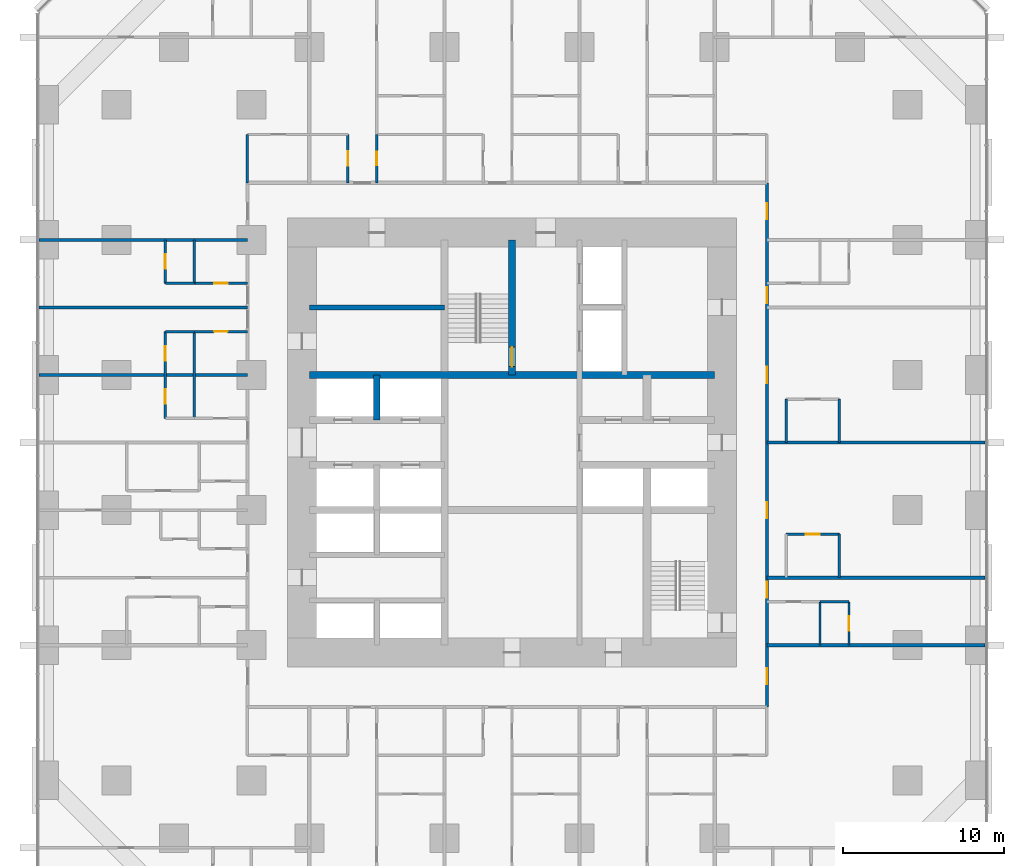
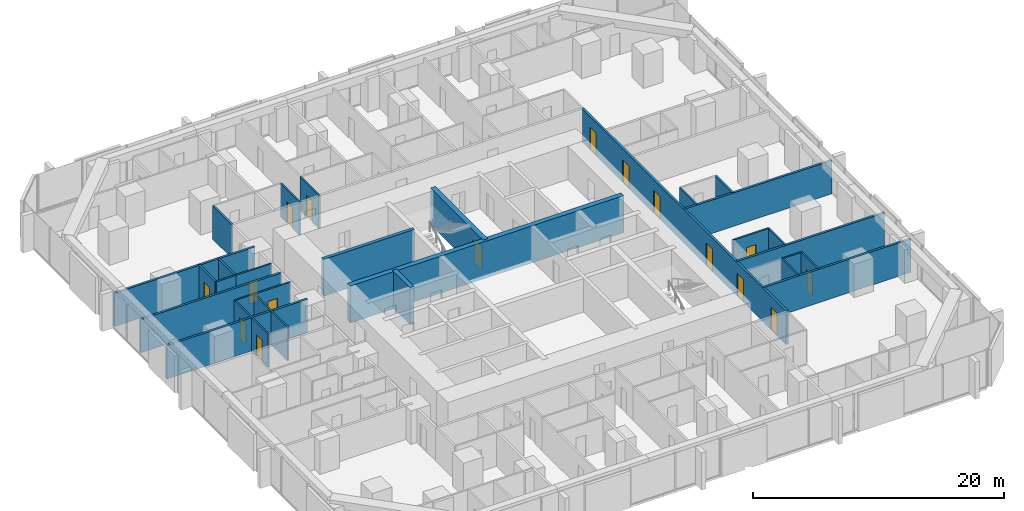
# One storey, part 14 of 17: 29 walls, 16 doors, 16 openings.
"""IFC4 building model written with IfcOpenShell, lengths in metres."""

from ifc_helpers import new_model, si_unit, direction, frame, frame_2d, origin, place, context, subcontext, project, spatial, rectangle, extrude, material, layer, layer_set, type_object, element, fill, save


model = new_model("IFC4")

# Units and contexts
model_context = context("Model", 3, precision=1e-05, world=origin(), true_north=direction((0.0, 1.0)))
body_context = subcontext(model_context, "Body", "Model", "MODEL_VIEW")
ifc_project = project(units=[si_unit("LENGTHUNIT", "METRE"), si_unit("AREAUNIT", "SQUARE_METRE"), si_unit("VOLUMEUNIT", "CUBIC_METRE"), si_unit("PLANEANGLEUNIT", "RADIAN"), si_unit("MASSUNIT", "GRAM", prefix="KILO")], contexts=[model_context])

# Site, building, storey
site_placement = place(None, origin())
site = spatial("IfcSite", under=ifc_project, at=site_placement, CompositionType="ELEMENT")
building_placement = place(site_placement, origin())
building = spatial("IfcBuilding", under=site, at=building_placement, Name="Dunama Terrace Hotel", CompositionType="ELEMENT")
storey_placement = place(building_placement, frame((0.0, 0.0, 45.0)))
storey = spatial("IfcBuildingStorey", under=building, at=storey_placement, Name="L10", CompositionType="ELEMENT", Elevation=45.0)

# Wall
ifc_material_1 = material(Name="Gypsum board partition", Category="masonry")
ifc_layer_1 = layer(ifc_material_1, 0.14990234375)
ifc_layer_set_1 = layer_set([ifc_layer_1], Name="Bathroom partition 150")
wall_type_1 = type_object("IfcWallType", Name="Bathroom partition 150", PredefinedType="PARTITIONING", material=ifc_layer_set_1)
wall_1_placement = place(storey_placement, frame((12.949951171875, 45.550048828125, 0.0), z_axis=(0.0, 0.0, 1.0), x_axis=(0.0, 1.0, 0.0)))
element("IfcWall", 1, at=wall_1_placement, inside=storey, type_object=wall_type_1, Name="Bathroom partition 150 L10", PredefinedType="PARTITIONING", context=body_context, shape_type="SweptSolid", body=[
    extrude(rectangle(XDim=3.0, YDim=0.14990234375, at=frame_2d((1.5, 0.0))), origin(), (0.0, 0.0, 1.0), 3.25),
])

# Wall, opening, door
wall_2_placement = place(storey_placement, frame((21.0, 45.550048828125, 0.0), z_axis=(0.0, 0.0, 1.0), x_axis=(0.0, 1.0, 0.0)))
wall_2 = element("IfcWall", 2, at=wall_2_placement, inside=storey, type_object=wall_type_1, Name="Bathroom partition 150 L10", PredefinedType="PARTITIONING", context=body_context, shape_type="SweptSolid", body=[
    extrude(rectangle(XDim=3.0, YDim=0.14990234375, at=frame_2d((1.5, 0.0))), origin(), (0.0, 0.0, 1.0), 3.25),
])
opening_1_placement = place(wall_2_placement, frame((1.074951171875, 0.0, 0.0)))
opening_1 = element("IfcOpeningElement", 3, at=opening_1_placement, cuts=wall_2, Name="Opening L10-11-036", PredefinedType="OPENING", context=body_context, shape_type="SweptSolid", body=[
    extrude(rectangle(XDim=0.85009765625, YDim=2.10009765625, at=frame_2d((0.425048828125, 1.050048828125))), frame((0.0, 0.0849609375, 0.0), z_axis=(0.0, -1.0, 0.0), x_axis=(1.0, 0.0, 0.0)), (0.0, 0.0, 1.0), 0.169921875),
])
ifc_material_2 = material(Name="Timber door with steel frame", Category="steel")
door_type_1 = type_object("IfcDoorType", Name="Bathroom door 850", OperationType="SINGLE_SWING_LEFT", PredefinedType="DOOR", material=ifc_material_2)
door_1_placement = place(opening_1_placement, frame((0.85009765625, 0.0, 0.0), z_axis=(0.0, 0.0, 1.0), x_axis=(-1.0, 0.0, 0.0)))
door_1 = element("IfcDoor", 4, at=door_1_placement, inside=storey, type_object=door_type_1, Name="Door to residence bathroom L10-11-036, type D2", OperationType="SINGLE_SWING_RIGHT", OverallHeight=2.10009765625, OverallWidth=0.85009765625, PredefinedType="DOOR", context=body_context, shape_type="SweptSolid", body=[
    extrude(rectangle(XDim=0.85009765625, YDim=2.10009765625, at=frame_2d((0.425048828125, 1.050048828125))), frame((0.0, 0.025146484375, 0.0), z_axis=(0.0, -1.0, 0.0), x_axis=(1.0, 0.0, 0.0)), (0.0, 0.0, 1.0), 0.050048828125),
])
fill(opening_1, door_1)

# Walls
wall_3_placement = place(storey_placement, frame((46.449951171875, 29.39990234375, 0.0), z_axis=(0.0, 0.0, 1.0), x_axis=(0.0, 1.0, 0.0)))
element("IfcWall", 5, at=wall_3_placement, inside=storey, type_object=wall_type_1, Name="Bathroom partition 150 L10", PredefinedType="PARTITIONING", context=body_context, shape_type="SweptSolid", body=[
    extrude(rectangle(XDim=2.7001953125, YDim=0.14990234375, at=frame_2d((1.35009765625, 0.0))), origin(), (0.0, 0.0, 1.0), 3.25),
])
wall_4_placement = place(storey_placement, frame((49.75, 21.0, 0.0), z_axis=(0.0, 0.0, 1.0), x_axis=(0.0, 1.0, 0.0)))
element("IfcWall", 6, at=wall_4_placement, inside=storey, type_object=wall_type_1, Name="Bathroom partition 150 L10", PredefinedType="PARTITIONING", context=body_context, shape_type="SweptSolid", body=[
    extrude(rectangle(XDim=2.699951171875, YDim=0.14990234375, at=frame_2d((1.35009765625, 0.0))), origin(), (0.0, 0.0, 1.0), 3.25),
])
wall_5_placement = place(storey_placement, frame((49.75, 29.39990234375, 0.0), z_axis=(0.0, 0.0, 1.0), x_axis=(0.0, 1.0, 0.0)))
element("IfcWall", 7, at=wall_5_placement, inside=storey, type_object=wall_type_1, Name="Bathroom partition 150 L10", PredefinedType="PARTITIONING", context=body_context, shape_type="SweptSolid", body=[
    extrude(rectangle(XDim=2.7001953125, YDim=0.14990234375, at=frame_2d((1.35009765625, 0.0))), origin(), (0.0, 0.0, 1.0), 3.25),
])

# Wall, opening, door
wall_6_placement = place(storey_placement, frame((46.449951171875, 23.699951171875, 0.0), z_axis=(0.0, 0.0, 1.0), x_axis=(1.0, 0.0, 0.0)))
wall_6 = element("IfcWall", 8, at=wall_6_placement, inside=storey, type_object=wall_type_1, Name="Bathroom partition 150 L10", PredefinedType="PARTITIONING", context=body_context, shape_type="SweptSolid", body=[
    extrude(rectangle(XDim=3.300048828125, YDim=0.14990234375, at=frame_2d((1.64990234375, 0.0))), origin(), (0.0, 0.0, 1.0), 3.25),
])
opening_2_placement = place(wall_6_placement, frame((1.22509765625, 0.0, 0.0)))
opening_2 = element("IfcOpeningElement", 9, at=opening_2_placement, cuts=wall_6, Name="Opening L10-11-028", PredefinedType="OPENING", context=body_context, shape_type="SweptSolid", body=[
    extrude(rectangle(XDim=0.85009765625, YDim=2.10009765625, at=frame_2d((0.425048828125, 1.050048828125))), frame((0.0, 0.0849609375, 0.0), z_axis=(0.0, -1.0, 0.0), x_axis=(1.0, 0.0, 0.0)), (0.0, 0.0, 1.0), 0.169921875),
])
door_2_placement = place(opening_2_placement, frame((0.85009765625, 0.0, 0.0), z_axis=(0.0, 0.0, 1.0), x_axis=(-1.0, 0.0, 0.0)))
door_2 = element("IfcDoor", 10, at=door_2_placement, inside=storey, type_object=door_type_1, Name="Door to en-suite bathroom L10-11-028, type D2", OperationType="SINGLE_SWING_LEFT", OverallHeight=2.10009765625, OverallWidth=0.85009765625, PredefinedType="DOOR", context=body_context, shape_type="SweptSolid", body=[
    extrude(rectangle(XDim=0.85009765625, YDim=2.10009765625, at=frame_2d((0.425048828125, 1.050048828125))), frame((0.0, 0.025146484375, 0.0), z_axis=(0.0, -1.0, 0.0), x_axis=(1.0, 0.0, 0.0)), (0.0, 0.0, 1.0), 0.050048828125),
])
fill(opening_2, door_2)

wall_7_placement = place(storey_placement, frame((9.64990234375, 36.300048828125, 0.0), z_axis=(0.0, 0.0, 1.0), x_axis=(1.0, 0.0, 0.0)))
wall_7 = element("IfcWall", 11, at=wall_7_placement, inside=storey, type_object=wall_type_1, Name="Bathroom partition 150 L10", PredefinedType="PARTITIONING", context=body_context, shape_type="SweptSolid", body=[
    extrude(rectangle(XDim=3.300048828125, YDim=0.14990234375, at=frame_2d((1.64990234375, 0.0))), origin(), (0.0, 0.0, 1.0), 3.25),
])
opening_3_placement = place(wall_7_placement, frame((1.22509765625, 0.0, 0.0)))
opening_3 = element("IfcOpeningElement", 12, at=opening_3_placement, cuts=wall_7, Name="Opening L10-11-062", PredefinedType="OPENING", context=body_context, shape_type="SweptSolid", body=[
    extrude(rectangle(XDim=0.85009765625, YDim=2.10009765625, at=frame_2d((0.425048828125, 1.050048828125))), frame((0.0, 0.0849609375, 0.0), z_axis=(0.0, -1.0, 0.0), x_axis=(1.0, 0.0, 0.0)), (0.0, 0.0, 1.0), 0.169921875),
])
door_3_placement = place(opening_3_placement, frame((0.85009765625, 0.0, 0.0), z_axis=(0.0, 0.0, 1.0), x_axis=(-1.0, 0.0, 0.0)))
door_3 = element("IfcDoor", 13, at=door_3_placement, inside=storey, type_object=door_type_1, Name="Door to en-suite bathroom L10-11-062, type D2", OperationType="SINGLE_SWING_LEFT", OverallHeight=2.10009765625, OverallWidth=0.85009765625, PredefinedType="DOOR", context=body_context, shape_type="SweptSolid", body=[
    extrude(rectangle(XDim=0.85009765625, YDim=2.10009765625, at=frame_2d((0.425048828125, 1.050048828125))), frame((0.0, 0.025146484375, 0.0), z_axis=(0.0, -1.0, 0.0), x_axis=(1.0, 0.0, 0.0)), (0.0, 0.0, 1.0), 0.050048828125),
])
fill(opening_3, door_3)

wall_8_placement = place(storey_placement, frame((9.64990234375, 39.300048828125, 0.0), z_axis=(0.0, 0.0, 1.0), x_axis=(1.0, 0.0, 0.0)))
wall_8 = element("IfcWall", 14, at=wall_8_placement, inside=storey, type_object=wall_type_1, Name="Bathroom partition 150 L10", PredefinedType="PARTITIONING", context=body_context, shape_type="SweptSolid", body=[
    extrude(rectangle(XDim=3.300048828125, YDim=0.14990234375, at=frame_2d((1.64990234375, 0.0))), origin(), (0.0, 0.0, 1.0), 3.25),
])
opening_4_placement = place(wall_8_placement, frame((1.22509765625, 0.0, 0.0)))
opening_4 = element("IfcOpeningElement", 15, at=opening_4_placement, cuts=wall_8, Name="Opening L10-11-065", PredefinedType="OPENING", context=body_context, shape_type="SweptSolid", body=[
    extrude(rectangle(XDim=0.85009765625, YDim=2.10009765625, at=frame_2d((0.425048828125, 1.050048828125))), frame((0.0, 0.0849609375, 0.0), z_axis=(0.0, -1.0, 0.0), x_axis=(1.0, 0.0, 0.0)), (0.0, 0.0, 1.0), 0.169921875),
])
door_4_placement = place(opening_4_placement, origin())
door_4 = element("IfcDoor", 16, at=door_4_placement, inside=storey, type_object=door_type_1, Name="Door to en-suite bathroom L10-11-065, type D2", OperationType="SINGLE_SWING_RIGHT", OverallHeight=2.10009765625, OverallWidth=0.85009765625, PredefinedType="DOOR", context=body_context, shape_type="SweptSolid", body=[
    extrude(rectangle(XDim=0.85009765625, YDim=2.10009765625, at=frame_2d((0.425048828125, 1.050048828125))), frame((0.0, 0.02490234375, 0.0), z_axis=(0.0, -1.0, 0.0), x_axis=(1.0, 0.0, 0.0)), (0.0, 0.0, 1.0), 0.050048828125),
])
fill(opening_4, door_4)

# Walls
ifc_material_3 = material(Name="Concrete C50/60", Category="concrete")
ifc_layer_2 = layer(ifc_material_3, 0.300048828125)
ifc_layer_set_2 = layer_set([ifc_layer_2], Name="Core inner wall 300")
wall_type_2 = type_object("IfcWallType", Name="Core inner wall 300", PredefinedType="SHEAR", material=ifc_layer_set_2)
wall_9_placement = place(storey_placement, frame((16.800048828125, 37.800048828125, -0.35009765625), z_axis=(0.0, 0.0, 1.0), x_axis=(1.0, 0.0, 0.0)))
element("IfcWall", 17, at=wall_9_placement, inside=storey, type_object=wall_type_2, Name="Core inner wall 300 L10", PredefinedType="SHEAR", context=body_context, shape_type="SweptSolid", body=[
    extrude(rectangle(XDim=8.39990234375, YDim=0.300048828125, at=frame_2d((4.199951171875, 0.0))), origin(), (0.0, 0.0, 1.0), 3.60009765625),
])
ifc_material_4 = material(Name="Concrete C50/60", Category="concrete")
ifc_layer_3 = layer(ifc_material_4, 0.39990234375)
ifc_layer_set_3 = layer_set([ifc_layer_3], Name="Core inner wall 400")
wall_type_3 = type_object("IfcWallType", Name="Core inner wall 400", PredefinedType="SHEAR", material=ifc_layer_set_3)
wall_10_placement = place(storey_placement, frame((21.0, 30.800048828125, -0.35009765625), z_axis=(0.0, 0.0, 1.0), x_axis=(0.0, 1.0, 0.0)))
element("IfcWall", 18, at=wall_10_placement, inside=storey, type_object=wall_type_3, Name="Core inner wall 400 L10", PredefinedType="SHEAR", context=body_context, shape_type="SweptSolid", body=[
    extrude(rectangle(XDim=2.800048828125, YDim=0.39990234375, at=frame_2d((1.39990234375, 0.0))), origin(), (0.0, 0.0, 1.0), 3.60009765625),
])

# Wall, opening, door
ifc_material_5 = material(Name="Concrete C50/60", Category="concrete")
ifc_layer_4 = layer(ifc_material_5, 0.449951171875)
ifc_layer_set_4 = layer_set([ifc_layer_4], Name="Core inner wall 450")
wall_type_4 = type_object("IfcWallType", Name="Core inner wall 450", PredefinedType="SHEAR", material=ifc_layer_set_4)
wall_11_placement = place(storey_placement, frame((29.39990234375, 33.60009765625, -0.35009765625), z_axis=(0.0, 0.0, 1.0), x_axis=(0.0, 1.0, 0.0)))
wall_11 = element("IfcWall", 19, at=wall_11_placement, inside=storey, type_object=wall_type_4, Name="Core inner wall 450 L10", PredefinedType="SHEAR", context=body_context, shape_type="SweptSolid", body=[
    extrude(rectangle(XDim=8.39990234375, YDim=0.449951171875, at=frame_2d((4.199951171875, 0.0))), origin(), (0.0, 0.0, 1.0), 3.60009765625),
])
opening_5_placement = place(wall_11_placement, frame((0.52490234375, 0.0, 0.35009765625)))
opening_5 = element("IfcOpeningElement", 20, at=opening_5_placement, cuts=wall_11, Name="Opening L10-11-001", PredefinedType="OPENING", context=body_context, shape_type="SweptSolid", body=[
    extrude(rectangle(XDim=1.199951171875, YDim=2.199951171875, at=frame_2d((0.60009765625, 1.10009765625))), frame((0.0, 0.23486328125, 0.0), z_axis=(0.0, -1.0, 0.0), x_axis=(1.0, 0.0, 0.0)), (0.0, 0.0, 1.0), 0.469970703125),
])
ifc_material_6 = material(Name="Timber door with steel frame", Category="steel")
door_type_2 = type_object("IfcDoorType", Name="Stair door 1200", OperationType="SINGLE_SWING_LEFT", PredefinedType="DOOR", material=ifc_material_6)
door_5_placement = place(opening_5_placement, origin())
door_5 = element("IfcDoor", 21, at=door_5_placement, inside=storey, type_object=door_type_2, Name="Stair door ST1 L10-11-001, type D5", OperationType="SINGLE_SWING_LEFT", OverallHeight=2.199951171875, OverallWidth=1.199951171875, PredefinedType="DOOR", context=body_context, shape_type="SweptSolid", body=[
    extrude(rectangle(XDim=1.199951171875, YDim=2.199951171875, at=frame_2d((0.60009765625, 1.10009765625))), frame((0.0, 0.02490234375, 0.0), z_axis=(0.0, -1.0, 0.0), x_axis=(1.0, 0.0, 0.0)), (0.0, 0.0, 1.0), 0.050048828125),
])
fill(opening_5, door_5)

# Wall
wall_12_placement = place(storey_placement, frame((16.800048828125, 33.60009765625, -0.35009765625), z_axis=(0.0, 0.0, 1.0), x_axis=(1.0, 0.0, 0.0)))
element("IfcWall", 22, at=wall_12_placement, inside=storey, type_object=wall_type_4, Name="Core inner wall 450 L10", PredefinedType="SHEAR", context=body_context, shape_type="SweptSolid", body=[
    extrude(rectangle(XDim=25.199951171875, YDim=0.449951171875, at=frame_2d((12.60009765625, 0.0))), origin(), (0.0, 0.0, 1.0), 3.60009765625),
])

# Wall, openings, doors
ifc_material_7 = material(Name="Concrete blockwork", Category="masonry")
ifc_layer_5 = layer(ifc_material_7, 0.199951171875)
ifc_layer_set_5 = layer_set([ifc_layer_5], Name="Corridor partition 200")
wall_type_5 = type_object("IfcWallType", Name="Corridor partition 200", PredefinedType="PARTITIONING", material=ifc_layer_set_5)
wall_13_placement = place(storey_placement, frame((45.25, 45.550048828125, 0.0), z_axis=(0.0, 0.0, 1.0), x_axis=(0.0, -1.0, 0.0)))
wall_13 = element("IfcWall", 23, at=wall_13_placement, inside=storey, type_object=wall_type_5, Name="Corridor partition 200 L10", PredefinedType="PARTITIONING", context=body_context, shape_type="SweptSolid", body=[
    extrude(rectangle(XDim=32.60009765625, YDim=0.199951171875, at=frame_2d((16.300048828125, 0.0))), origin(), (0.0, 0.0, 1.0), 3.25),
])
opening_6_placement = place(wall_13_placement, frame((24.800048828125, 0.0, 0.0)))
opening_6 = element("IfcOpeningElement", 24, at=opening_6_placement, cuts=wall_13, Name="Opening L10-11-024", PredefinedType="OPENING", context=body_context, shape_type="SweptSolid", body=[
    extrude(rectangle(XDim=1.0, YDim=2.199951171875, at=frame_2d((0.5, 1.10009765625))), frame((0.0, 0.10986328125, 0.0), z_axis=(0.0, -1.0, 0.0), x_axis=(1.0, 0.0, 0.0)), (0.0, 0.0, 1.0), 0.219970703125),
])
opening_7_placement = place(wall_13_placement, frame((19.85009765625, 0.0, 0.0)))
opening_7 = element("IfcOpeningElement", 25, at=opening_7_placement, cuts=wall_13, Name="Opening L10-11-027", PredefinedType="OPENING", context=body_context, shape_type="SweptSolid", body=[
    extrude(rectangle(XDim=1.0, YDim=2.199951171875, at=frame_2d((0.5, 1.10009765625))), frame((0.0, 0.10986328125, 0.0), z_axis=(0.0, -1.0, 0.0), x_axis=(1.0, 0.0, 0.0)), (0.0, 0.0, 1.0), 0.219970703125),
])
opening_8_placement = place(wall_13_placement, frame((11.449951171875, 0.0, 0.0)))
opening_8 = element("IfcOpeningElement", 26, at=opening_8_placement, cuts=wall_13, Name="Opening L10-11-029", PredefinedType="OPENING", context=body_context, shape_type="SweptSolid", body=[
    extrude(rectangle(XDim=1.0, YDim=2.199951171875, at=frame_2d((0.5, 1.10009765625))), frame((0.0, 0.10986328125, 0.0), z_axis=(0.0, -1.0, 0.0), x_axis=(1.0, 0.0, 0.0)), (0.0, 0.0, 1.0), 0.219970703125),
])
opening_9_placement = place(wall_13_placement, frame((6.5, 0.0, 0.0)))
opening_9 = element("IfcOpeningElement", 27, at=opening_9_placement, cuts=wall_13, Name="Opening L10-11-031", PredefinedType="OPENING", context=body_context, shape_type="SweptSolid", body=[
    extrude(rectangle(XDim=1.0, YDim=2.199951171875, at=frame_2d((0.5, 1.10009765625))), frame((0.0, 0.10986328125, 0.0), z_axis=(0.0, -1.0, 0.0), x_axis=(1.0, 0.0, 0.0)), (0.0, 0.0, 1.0), 0.219970703125),
])
opening_10_placement = place(wall_13_placement, frame((30.175048828125, 0.0, 0.0)))
opening_10 = element("IfcOpeningElement", 28, at=opening_10_placement, cuts=wall_13, Name="Opening L10-11-072", PredefinedType="OPENING", context=body_context, shape_type="SweptSolid", body=[
    extrude(rectangle(XDim=1.0, YDim=2.199951171875, at=frame_2d((0.5, 1.10009765625))), frame((0.0, 0.10986328125, 0.0), z_axis=(0.0, -1.0, 0.0), x_axis=(1.0, 0.0, 0.0)), (0.0, 0.0, 1.0), 0.219970703125),
])
opening_11_placement = place(wall_13_placement, frame((1.27490234375, 0.0, 0.0)))
opening_11 = element("IfcOpeningElement", 29, at=opening_11_placement, cuts=wall_13, Name="Opening L10-11-077", PredefinedType="OPENING", context=body_context, shape_type="SweptSolid", body=[
    extrude(rectangle(XDim=1.0, YDim=2.199951171875, at=frame_2d((0.5, 1.10009765625))), frame((0.0, 0.10986328125, 0.0), z_axis=(0.0, -1.0, 0.0), x_axis=(1.0, 0.0, 0.0)), (0.0, 0.0, 1.0), 0.219970703125),
])
ifc_material_8 = material(Name="Timber door with steel frame", Category="steel")
door_type_3 = type_object("IfcDoorType", Name="Guest room door 1000", OperationType="SINGLE_SWING_LEFT", PredefinedType="DOOR", material=ifc_material_8)
door_6_placement = place(opening_6_placement, origin())
door_6 = element("IfcDoor", 30, at=door_6_placement, inside=storey, type_object=door_type_3, Name="Door to deluxe room L10-11-024, type D1", OperationType="SINGLE_SWING_LEFT", OverallHeight=2.199951171875, OverallWidth=1.0, PredefinedType="DOOR", context=body_context, shape_type="SweptSolid", body=[
    extrude(rectangle(XDim=1.0, YDim=2.199951171875, at=frame_2d((0.5, 1.10009765625))), frame((0.0, 0.02490234375, 0.0), z_axis=(0.0, -1.0, 0.0), x_axis=(1.0, 0.0, 0.0)), (0.0, 0.0, 1.0), 0.050048828125),
])
fill(opening_6, door_6)
door_7_placement = place(opening_7_placement, origin())
door_7 = element("IfcDoor", 31, at=door_7_placement, inside=storey, type_object=door_type_3, Name="Door to junior suite L10-11-027, type D1", OperationType="SINGLE_SWING_RIGHT", OverallHeight=2.199951171875, OverallWidth=1.0, PredefinedType="DOOR", context=body_context, shape_type="SweptSolid", body=[
    extrude(rectangle(XDim=1.0, YDim=2.199951171875, at=frame_2d((0.5, 1.10009765625))), frame((0.0, 0.02490234375, 0.0), z_axis=(0.0, -1.0, 0.0), x_axis=(1.0, 0.0, 0.0)), (0.0, 0.0, 1.0), 0.050048828125),
])
fill(opening_7, door_7)
door_8_placement = place(opening_8_placement, origin())
door_8 = element("IfcDoor", 32, at=door_8_placement, inside=storey, type_object=door_type_3, Name="Door to junior suite L10-11-029, type D1", OperationType="SINGLE_SWING_RIGHT", OverallHeight=2.199951171875, OverallWidth=1.0, PredefinedType="DOOR", context=body_context, shape_type="SweptSolid", body=[
    extrude(rectangle(XDim=1.0, YDim=2.199951171875, at=frame_2d((0.5, 1.10009765625))), frame((0.0, 0.02490234375, 0.0), z_axis=(0.0, -1.0, 0.0), x_axis=(1.0, 0.0, 0.0)), (0.0, 0.0, 1.0), 0.050048828125),
])
fill(opening_8, door_8)
door_9_placement = place(opening_9_placement, origin())
door_9 = element("IfcDoor", 33, at=door_9_placement, inside=storey, type_object=door_type_3, Name="Door to deluxe room L10-11-031, type D1", OperationType="SINGLE_SWING_RIGHT", OverallHeight=2.199951171875, OverallWidth=1.0, PredefinedType="DOOR", context=body_context, shape_type="SweptSolid", body=[
    extrude(rectangle(XDim=1.0, YDim=2.199951171875, at=frame_2d((0.5, 1.10009765625))), frame((0.0, 0.02490234375, 0.0), z_axis=(0.0, -1.0, 0.0), x_axis=(1.0, 0.0, 0.0)), (0.0, 0.0, 1.0), 0.050048828125),
])
fill(opening_9, door_9)
door_10_placement = place(opening_10_placement, origin())
door_10 = element("IfcDoor", 34, at=door_10_placement, inside=storey, type_object=door_type_3, Name="Door to corner suite living room L10-11-072, type D1", OperationType="SINGLE_SWING_RIGHT", OverallHeight=2.199951171875, OverallWidth=1.0, PredefinedType="DOOR", context=body_context, shape_type="SweptSolid", body=[
    extrude(rectangle(XDim=1.0, YDim=2.199951171875, at=frame_2d((0.5, 1.10009765625))), frame((0.0, 0.02490234375, 0.0), z_axis=(0.0, -1.0, 0.0), x_axis=(1.0, 0.0, 0.0)), (0.0, 0.0, 1.0), 0.050048828125),
])
fill(opening_10, door_10)
door_11_placement = place(opening_11_placement, origin())
door_11 = element("IfcDoor", 35, at=door_11_placement, inside=storey, type_object=door_type_3, Name="Door to corner suite living room L10-11-077, type D1", OperationType="SINGLE_SWING_LEFT", OverallHeight=2.199951171875, OverallWidth=1.0, PredefinedType="DOOR", context=body_context, shape_type="SweptSolid", body=[
    extrude(rectangle(XDim=1.0, YDim=2.199951171875, at=frame_2d((0.5, 1.10009765625))), frame((0.0, 0.02490234375, 0.0), z_axis=(0.0, -1.0, 0.0), x_axis=(1.0, 0.0, 0.0)), (0.0, 0.0, 1.0), 0.050048828125),
])
fill(opening_11, door_11)

# Walls
ifc_material_9 = material(Name="Concrete blockwork", Category="masonry")
ifc_layer_6 = layer(ifc_material_9, 0.199951171875)
ifc_layer_set_6 = layer_set([ifc_layer_6], Name="Party wall 200")
wall_type_6 = type_object("IfcWallType", Name="Party wall 200", PredefinedType="PARTITIONING", material=ifc_layer_set_6)
for number, where, z_axis, x_axis, name in (
    (36, (45.25, 16.800048828125, 0.0), (0.0, 0.0, 1.0), (1.0, 0.0, 0.0), "Party wall 200 L10"),
    (37, (45.25, 21.0, 0.0), (0.0, 0.0, 1.0), (1.0, 0.0, 0.0), "Party wall 200 L10"),
    (38, (45.25, 29.39990234375, 0.0), (0.0, 0.0, 1.0), (1.0, 0.0, 0.0), "Party wall 200 L10"),
):
    element("IfcWall", number, at=place(storey_placement, frame(where, z_axis=z_axis, x_axis=x_axis)), inside=storey, type_object=wall_type_6, Name=name, PredefinedType="PARTITIONING", context=body_context, shape_type="SweptSolid", body=[
        extrude(rectangle(XDim=13.55810546875, YDim=0.199951171875, at=frame_2d((6.779052734375, 0.0))), origin(), (0.0, 0.0, 1.0), 3.25),
    ])
for number, where, z_axis, x_axis, name in (
    (39, (-0.008056640625, 33.60009765625, 0.0), (0.0, 0.0, 1.0), (1.0, 0.0, 0.0), "Party wall 200 L10"),
    (40, (-0.008056640625, 37.800048828125, 0.0), (0.0, 0.0, 1.0), (1.0, 0.0, 0.0), "Party wall 200 L10"),
    (41, (-0.008056640625, 42.0, 0.0), (0.0, 0.0, 1.0), (1.0, 0.0, 0.0), "Party wall 200 L10"),
):
    element("IfcWall", number, at=place(storey_placement, frame(where, z_axis=z_axis, x_axis=x_axis)), inside=storey, type_object=wall_type_6, Name=name, PredefinedType="PARTITIONING", context=body_context, shape_type="SweptSolid", body=[
        extrude(rectangle(XDim=12.9580078125, YDim=0.199951171875, at=frame_2d((6.47900390625, 0.0))), origin(), (0.0, 0.0, 1.0), 3.25),
    ])

# Wall, openings, doors
ifc_material_10 = material(Name="Gypsum board partition", Category="masonry")
ifc_layer_7 = layer(ifc_material_10, 0.14990234375)
ifc_layer_set_7 = layer_set([ifc_layer_7], Name="Room partition 150")
wall_type_7 = type_object("IfcWallType", Name="Room partition 150", PredefinedType="PARTITIONING", material=ifc_layer_set_7)
wall_14_placement = place(storey_placement, frame((7.85009765625, 30.89990234375, 0.0), z_axis=(0.0, 0.0, 1.0), x_axis=(0.0, 1.0, 0.0)))
wall_14 = element("IfcWall", 42, at=wall_14_placement, inside=storey, type_object=wall_type_7, Name="Room partition 150 L10", PredefinedType="PARTITIONING", context=body_context, shape_type="SweptSolid", body=[
    extrude(rectangle(XDim=5.400146484375, YDim=0.14990234375, at=frame_2d((2.7001953125, 0.0))), origin(), (0.0, 0.0, 1.0), 3.25),
])
opening_12_placement = place(wall_14_placement, frame((0.89990234375, 0.0, 0.0)))
opening_12 = element("IfcOpeningElement", 43, at=opening_12_placement, cuts=wall_14, Name="Opening L10-11-060", PredefinedType="OPENING", context=body_context, shape_type="SweptSolid", body=[
    extrude(rectangle(XDim=0.89990234375, YDim=2.10009765625, at=frame_2d((0.449951171875, 1.050048828125))), frame((0.0, 0.0849609375, 0.0), z_axis=(0.0, -1.0, 0.0), x_axis=(1.0, 0.0, 0.0)), (0.0, 0.0, 1.0), 0.169921875),
])
opening_13_placement = place(wall_14_placement, frame((3.60009765625, 0.0, 0.0)))
opening_13 = element("IfcOpeningElement", 44, at=opening_13_placement, cuts=wall_14, Name="Opening L10-11-063", PredefinedType="OPENING", context=body_context, shape_type="SweptSolid", body=[
    extrude(rectangle(XDim=0.89990234375, YDim=2.10009765625, at=frame_2d((0.449951171875, 1.050048828125))), frame((0.0, 0.0849609375, 0.0), z_axis=(0.0, -1.0, 0.0), x_axis=(1.0, 0.0, 0.0)), (0.0, 0.0, 1.0), 0.169921875),
])
ifc_material_11 = material(Name="Timber door with steel frame", Category="steel")
door_type_4 = type_object("IfcDoorType", Name="Suite internal door 900", OperationType="SINGLE_SWING_LEFT", PredefinedType="DOOR", material=ifc_material_11)
door_12_placement = place(opening_12_placement, frame((0.89990234375, 0.0, 0.0), z_axis=(0.0, 0.0, 1.0), x_axis=(-1.0, 0.0, 0.0)))
door_12 = element("IfcDoor", 45, at=door_12_placement, inside=storey, type_object=door_type_4, Name="Door to walk-in wardrobe L10-11-060, type D16", OperationType="SINGLE_SWING_LEFT", OverallHeight=2.10009765625, OverallWidth=0.89990234375, PredefinedType="DOOR", context=body_context, shape_type="SweptSolid", body=[
    extrude(rectangle(XDim=0.89990234375, YDim=2.10009765625, at=frame_2d((0.449951171875, 1.050048828125))), frame((0.0, 0.025146484375, 0.0), z_axis=(0.0, -1.0, 0.0), x_axis=(1.0, 0.0, 0.0)), (0.0, 0.0, 1.0), 0.050048828125),
])
fill(opening_12, door_12)
door_13_placement = place(opening_13_placement, frame((0.89990234375, 0.0, 0.0), z_axis=(0.0, 0.0, 1.0), x_axis=(-1.0, 0.0, 0.0)))
door_13 = element("IfcDoor", 46, at=door_13_placement, inside=storey, type_object=door_type_4, Name="Door to walk-in wardrobe L10-11-063, type D16", OperationType="SINGLE_SWING_RIGHT", OverallHeight=2.10009765625, OverallWidth=0.89990234375, PredefinedType="DOOR", context=body_context, shape_type="SweptSolid", body=[
    extrude(rectangle(XDim=0.89990234375, YDim=2.10009765625, at=frame_2d((0.449951171875, 1.050048828125))), frame((0.0, 0.025146484375, 0.0), z_axis=(0.0, -1.0, 0.0), x_axis=(1.0, 0.0, 0.0)), (0.0, 0.0, 1.0), 0.050048828125),
])
fill(opening_13, door_13)

# Wall, opening, door
wall_15_placement = place(storey_placement, frame((7.85009765625, 39.300048828125, 0.0), z_axis=(0.0, 0.0, 1.0), x_axis=(0.0, 1.0, 0.0)))
wall_15 = element("IfcWall", 47, at=wall_15_placement, inside=storey, type_object=wall_type_7, Name="Room partition 150 L10", PredefinedType="PARTITIONING", context=body_context, shape_type="SweptSolid", body=[
    extrude(rectangle(XDim=2.699951171875, YDim=0.14990234375, at=frame_2d((1.35009765625, 0.0))), origin(), (0.0, 0.0, 1.0), 3.25),
])
opening_14_placement = place(wall_15_placement, frame((0.89990234375, 0.0, 0.0)))
opening_14 = element("IfcOpeningElement", 48, at=opening_14_placement, cuts=wall_15, Name="Opening L10-11-066", PredefinedType="OPENING", context=body_context, shape_type="SweptSolid", body=[
    extrude(rectangle(XDim=0.89990234375, YDim=2.10009765625, at=frame_2d((0.449951171875, 1.050048828125))), frame((0.0, 0.0849609375, 0.0), z_axis=(0.0, -1.0, 0.0), x_axis=(1.0, 0.0, 0.0)), (0.0, 0.0, 1.0), 0.169921875),
])
door_14_placement = place(opening_14_placement, frame((0.89990234375, 0.0, 0.0), z_axis=(0.0, 0.0, 1.0), x_axis=(-1.0, 0.0, 0.0)))
door_14 = element("IfcDoor", 49, at=door_14_placement, inside=storey, type_object=door_type_4, Name="Door to walk-in wardrobe L10-11-066, type D16", OperationType="SINGLE_SWING_LEFT", OverallHeight=2.10009765625, OverallWidth=0.89990234375, PredefinedType="DOOR", context=body_context, shape_type="SweptSolid", body=[
    extrude(rectangle(XDim=0.89990234375, YDim=2.10009765625, at=frame_2d((0.449951171875, 1.050048828125))), frame((0.0, 0.025146484375, 0.0), z_axis=(0.0, -1.0, 0.0), x_axis=(1.0, 0.0, 0.0)), (0.0, 0.0, 1.0), 0.050048828125),
])
fill(opening_14, door_14)

# Walls
wall_16_placement = place(storey_placement, frame((9.64990234375, 30.89990234375, 0.0), z_axis=(0.0, 0.0, 1.0), x_axis=(0.0, 1.0, 0.0)))
element("IfcWall", 50, at=wall_16_placement, inside=storey, type_object=wall_type_7, Name="Room partition 150 L10", PredefinedType="PARTITIONING", context=body_context, shape_type="SweptSolid", body=[
    extrude(rectangle(XDim=5.400146484375, YDim=0.14990234375, at=frame_2d((2.7001953125, 0.0))), origin(), (0.0, 0.0, 1.0), 3.25),
])
wall_17_placement = place(storey_placement, frame((9.64990234375, 39.300048828125, 0.0), z_axis=(0.0, 0.0, 1.0), x_axis=(0.0, 1.0, 0.0)))
element("IfcWall", 51, at=wall_17_placement, inside=storey, type_object=wall_type_7, Name="Room partition 150 L10", PredefinedType="PARTITIONING", context=body_context, shape_type="SweptSolid", body=[
    extrude(rectangle(XDim=2.699951171875, YDim=0.14990234375, at=frame_2d((1.35009765625, 0.0))), origin(), (0.0, 0.0, 1.0), 3.25),
])

# Wall, opening, door
wall_18_placement = place(storey_placement, frame((19.199951171875, 45.550048828125, 0.0), z_axis=(0.0, 0.0, 1.0), x_axis=(0.0, 1.0, 0.0)))
wall_18 = element("IfcWall", 52, at=wall_18_placement, inside=storey, type_object=wall_type_7, Name="Room partition 150 L10", PredefinedType="PARTITIONING", context=body_context, shape_type="SweptSolid", body=[
    extrude(rectangle(XDim=3.0, YDim=0.14990234375, at=frame_2d((1.5, 0.0))), origin(), (0.0, 0.0, 1.0), 3.25),
])
opening_15_placement = place(wall_18_placement, frame((1.050048828125, 0.0, 0.0)))
opening_15 = element("IfcOpeningElement", 53, at=opening_15_placement, cuts=wall_18, Name="Opening L10-11-035", PredefinedType="OPENING", context=body_context, shape_type="SweptSolid", body=[
    extrude(rectangle(XDim=0.89990234375, YDim=2.10009765625, at=frame_2d((0.449951171875, 1.050048828125))), frame((0.0, 0.0849609375, 0.0), z_axis=(0.0, -1.0, 0.0), x_axis=(1.0, 0.0, 0.0)), (0.0, 0.0, 1.0), 0.169921875),
])
door_15_placement = place(opening_15_placement, origin())
door_15 = element("IfcDoor", 54, at=door_15_placement, inside=storey, type_object=door_type_4, Name="Door to residence kitchen L10-11-035, type D16", OperationType="SINGLE_SWING_LEFT", OverallHeight=2.10009765625, OverallWidth=0.89990234375, PredefinedType="DOOR", context=body_context, shape_type="SweptSolid", body=[
    extrude(rectangle(XDim=0.89990234375, YDim=2.10009765625, at=frame_2d((0.449951171875, 1.050048828125))), frame((0.0, 0.02490234375, 0.0), z_axis=(0.0, -1.0, 0.0), x_axis=(1.0, 0.0, 0.0)), (0.0, 0.0, 1.0), 0.050048828125),
])
fill(opening_15, door_15)

# Wall
wall_19_placement = place(storey_placement, frame((48.550048828125, 16.800048828125, 0.0), z_axis=(0.0, 0.0, 1.0), x_axis=(0.0, 1.0, 0.0)))
element("IfcWall", 55, at=wall_19_placement, inside=storey, type_object=wall_type_7, Name="Room partition 150 L10", PredefinedType="PARTITIONING", context=body_context, shape_type="SweptSolid", body=[
    extrude(rectangle(XDim=2.699951171875, YDim=0.14990234375, at=frame_2d((1.35009765625, 0.0))), origin(), (0.0, 0.0, 1.0), 3.25),
])

# Wall, opening, door
wall_20_placement = place(storey_placement, frame((50.35009765625, 16.800048828125, 0.0), z_axis=(0.0, 0.0, 1.0), x_axis=(0.0, 1.0, 0.0)))
wall_20 = element("IfcWall", 56, at=wall_20_placement, inside=storey, type_object=wall_type_7, Name="Room partition 150 L10", PredefinedType="PARTITIONING", context=body_context, shape_type="SweptSolid", body=[
    extrude(rectangle(XDim=2.699951171875, YDim=0.14990234375, at=frame_2d((1.35009765625, 0.0))), origin(), (0.0, 0.0, 1.0), 3.25),
])
opening_16_placement = place(wall_20_placement, frame((0.89990234375, 0.0, 0.0)))
opening_16 = element("IfcOpeningElement", 57, at=opening_16_placement, cuts=wall_20, Name="Opening L10-11-026", PredefinedType="OPENING", context=body_context, shape_type="SweptSolid", body=[
    extrude(rectangle(XDim=0.89990234375, YDim=2.10009765625, at=frame_2d((0.449951171875, 1.050048828125))), frame((0.0, 0.0849609375, 0.0), z_axis=(0.0, -1.0, 0.0), x_axis=(1.0, 0.0, 0.0)), (0.0, 0.0, 1.0), 0.169921875),
])
door_16_placement = place(opening_16_placement, origin())
door_16 = element("IfcDoor", 58, at=door_16_placement, inside=storey, type_object=door_type_4, Name="Door to walk-in wardrobe L10-11-026, type D16", OperationType="SINGLE_SWING_LEFT", OverallHeight=2.10009765625, OverallWidth=0.89990234375, PredefinedType="DOOR", context=body_context, shape_type="SweptSolid", body=[
    extrude(rectangle(XDim=0.89990234375, YDim=2.10009765625, at=frame_2d((0.449951171875, 1.050048828125))), frame((0.0, 0.02490234375, 0.0), z_axis=(0.0, -1.0, 0.0), x_axis=(1.0, 0.0, 0.0)), (0.0, 0.0, 1.0), 0.050048828125),
])
fill(opening_16, door_16)

# Walls
wall_21_placement = place(storey_placement, frame((48.550048828125, 19.5, 0.0), z_axis=(0.0, 0.0, 1.0), x_axis=(1.0, 0.0, 0.0)))
element("IfcWall", 59, at=wall_21_placement, inside=storey, type_object=wall_type_7, Name="Room partition 150 L10", PredefinedType="PARTITIONING", context=body_context, shape_type="SweptSolid", body=[
    extrude(rectangle(XDim=1.800048828125, YDim=0.14990234375, at=frame_2d((0.89990234375, 0.0))), origin(), (0.0, 0.0, 1.0), 3.25),
])
for number, where, z_axis, x_axis, name in (
    (60, (7.85009765625, 36.300048828125, 0.0), (0.0, 0.0, 1.0), (1.0, 0.0, 0.0), "Room partition 150 L10"),
    (61, (7.85009765625, 39.300048828125, 0.0), (0.0, 0.0, 1.0), (1.0, 0.0, 0.0), "Room partition 150 L10"),
):
    element("IfcWall", number, at=place(storey_placement, frame(where, z_axis=z_axis, x_axis=x_axis)), inside=storey, type_object=wall_type_7, Name=name, PredefinedType="PARTITIONING", context=body_context, shape_type="SweptSolid", body=[
        extrude(rectangle(XDim=1.7998046875, YDim=0.14990234375, at=frame_2d((0.89990234375, 0.0))), origin(), (0.0, 0.0, 1.0), 3.25),
    ])

save(model, "model.ifc")
